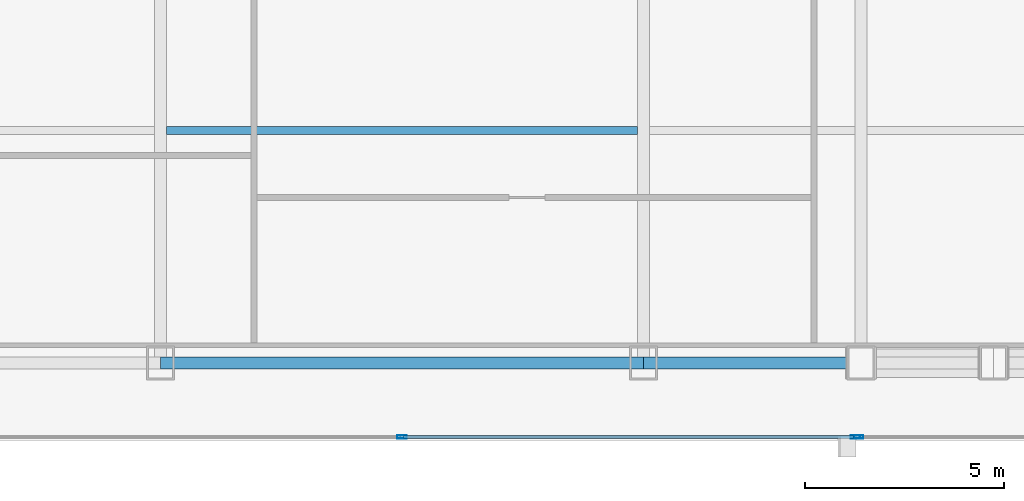
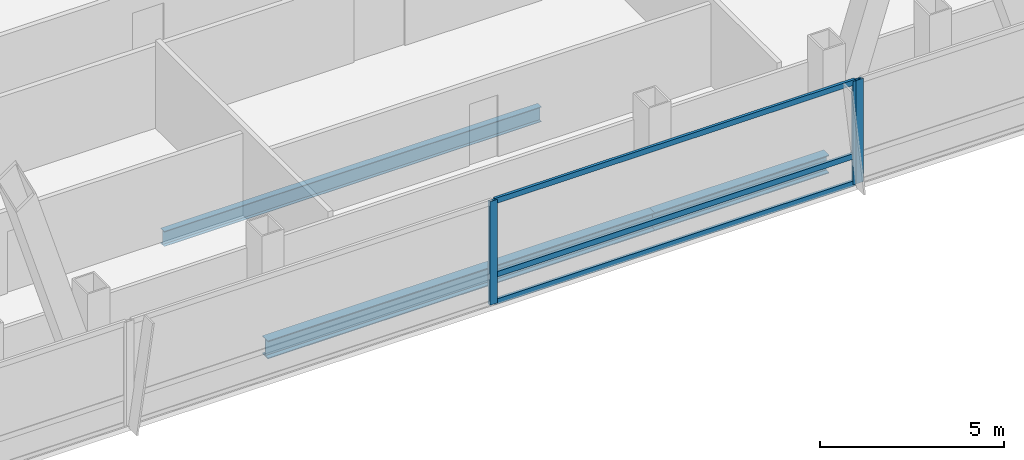
# One storey, part 13 of 30: 6 members, 3 beams, 2 elements without a shape of their own.
"""IFC4 building model written with IfcOpenShell, lengths in metres."""

from ifc_helpers import new_model, si_unit, direction, frame, origin, origin_2d, place, context, subcontext, project, spatial, hollow_rectangle, i_section, extrude, material, material_profile, profile_set, type_object, element, aggregate, save


model = new_model("IFC4")

# Units and contexts
model_context = context("Model", 3, precision=1e-05, world=origin(), true_north=direction((0.0, 1.0)))
body_context = subcontext(model_context, "Body", "Model", "MODEL_VIEW")
ifc_project = project(units=[si_unit("LENGTHUNIT", "METRE"), si_unit("AREAUNIT", "SQUARE_METRE"), si_unit("VOLUMEUNIT", "CUBIC_METRE"), si_unit("PLANEANGLEUNIT", "RADIAN"), si_unit("MASSUNIT", "GRAM", prefix="KILO")], contexts=[model_context])

# Site, building, storey
site_placement = place(None, origin())
site = spatial("IfcSite", under=ifc_project, at=site_placement, CompositionType="ELEMENT")
building_placement = place(site_placement, origin())
building = spatial("IfcBuilding", under=site, at=building_placement, Name="Khoronbel Lancet Exchange", CompositionType="ELEMENT")
storey_placement = place(building_placement, frame((0.0, 0.0, 157.800048828125)))
storey = spatial("IfcBuildingStorey", under=building, at=storey_placement, Name="L39", CompositionType="ELEMENT", Elevation=157.800048828125)

# Beams
ifc_material_1 = material(Name="Steel S355", Category="steel")
ifc_material_profile_1 = material_profile(ifc_material_1, i_section(OverallWidth=0.199951171875, OverallDepth=0.5, WebThickness=0.01025390625, FlangeThickness=0.01611328125, at=origin_2d()), Name="IPE 500")
ifc_profile_set_1 = profile_set([ifc_material_profile_1], Name="Steel S355")
beam_type_1 = type_object("IfcBeamType", Name="BM-BJ3", PredefinedType="JOIST", material=ifc_profile_set_1)
beam_1_placement = place(storey_placement, frame((30.52490234375, 16.0, -0.41015625), z_axis=(1.0, 0.0, 0.0), x_axis=(0.0, 1.0, 0.0)))
element("IfcBeam", 1, at=beam_1_placement, inside=storey, type_object=beam_type_1, Name="Level L39 secondary composite joist J03", PredefinedType="JOIST", context=body_context, shape_type="SweptSolid", body=[
    extrude(i_section(OverallWidth=0.199951171875, OverallDepth=0.5, WebThickness=0.01025390625, FlangeThickness=0.01611328125, at=origin_2d()), origin(), (0.0, 0.0, 1.0), 11.85009765625),
])
ifc_material_profile_2 = material_profile(ifc_material_1, i_section(OverallWidth=0.300048828125, OverallDepth=0.60009765625, WebThickness=0.015380859375, FlangeThickness=0.030029296875, at=origin_2d()), Name="HEB 600")
ifc_profile_set_2 = profile_set([ifc_material_profile_2], Name="Steel S355")
beam_type_2 = type_object("IfcBeamType", Name="BM-BSP2", PredefinedType="SPANDREL", material=ifc_profile_set_2)
beam_2_placement = place(storey_placement, frame((30.375, 10.14990234375, -0.4599609375), z_axis=(1.0, 0.0, 0.0), x_axis=(0.0, 1.0, 0.0)))
element("IfcBeam", 2, at=beam_2_placement, inside=storey, type_object=beam_type_2, Name="Level L39 perimeter spandrel beam SP05", PredefinedType="SPANDREL", context=body_context, shape_type="SweptSolid", body=[
    extrude(i_section(OverallWidth=0.300048828125, OverallDepth=0.60009765625, WebThickness=0.015380859375, FlangeThickness=0.030029296875, at=origin_2d()), origin(), (0.0, 0.0, 1.0), 12.14990234375),
])
beam_3_placement = place(storey_placement, frame((42.52490234375, 10.14990234375, -0.4599609375), z_axis=(1.0, 0.0, 0.0), x_axis=(0.0, 1.0, 0.0)))
element("IfcBeam", 3, at=beam_3_placement, inside=storey, type_object=beam_type_2, Name="Level L39 perimeter spandrel beam SP06", PredefinedType="SPANDREL", context=body_context, shape_type="SweptSolid", body=[
    extrude(i_section(OverallWidth=0.300048828125, OverallDepth=0.60009765625, WebThickness=0.015380859375, FlangeThickness=0.030029296875, at=origin_2d()), origin(), (0.0, 0.0, 1.0), 5.47509765625),
])

# Curtain wall, members
ifc_material_2 = material(Name="Low-E Solar Control Insulating Glass", Category="glass")
curtain_wall_type = type_object("IfcCurtainWallType", Name="CW-3", PredefinedType="NOTDEFINED", material=ifc_material_2)
curtain_wall_1_placement = place(storey_placement, origin())
curtain_wall_1 = element("IfcCurtainWall", 4, at=curtain_wall_1_placement, inside=storey, type_object=curtain_wall_type, Name="Unitised curtain wall CW-L39-SCV", PredefinedType="NOTDEFINED")
ifc_material_3 = material(Name="Bronze-Anodised Aluminium 6063-T6", Category="aluminium")
ifc_material_profile_3 = material_profile(ifc_material_3, hollow_rectangle(XDim=0.0849609375, YDim=0.239990234375, WallThickness=0.006103515625, at=origin_2d()), Name="ALU MULLION 85x240")
ifc_profile_set_3 = profile_set([ifc_material_profile_3], Name="Bronze-Anodised Aluminium 6063-T6")
member_type_1 = type_object("IfcMemberType", Name="MEM-CWM1", PredefinedType="MULLION", material=ifc_profile_set_3)
member_1_placement = place(storey_placement, frame((36.449951171875, 8.2900390625, 0.0), z_axis=(0.0, 0.0, 1.0), x_axis=(0.0, 1.0, 0.0)))
member_1 = element("IfcMember", 5, at=member_1_placement, type_object=member_type_1, Name="CW3 mullion 2", PredefinedType="MULLION", context=body_context, shape_type="SweptSolid", body=[
    extrude(hollow_rectangle(XDim=0.0849609375, YDim=0.239990234375, WallThickness=0.006103515625, at=origin_2d()), origin(), (0.0, 0.0, 1.0), 3.43994140625),
])
member_2_placement = place(storey_placement, frame((47.857421875, 8.2900390625, 0.0), z_axis=(0.0, 0.0, 1.0), x_axis=(0.0, 1.0, 0.0)))
member_2 = element("IfcMember", 6, at=member_2_placement, type_object=member_type_1, Name="CW3 mullion 3", PredefinedType="MULLION", context=body_context, shape_type="SweptSolid", body=[
    extrude(hollow_rectangle(XDim=0.0849609375, YDim=0.239990234375, WallThickness=0.006103515625, at=origin_2d()), origin(), (0.0, 0.0, 1.0), 3.43994140625),
])

# Curtain wall, member
curtain_wall_2_placement = place(storey_placement, origin())
curtain_wall_2 = element("IfcCurtainWall", 7, at=curtain_wall_2_placement, inside=storey, type_object=curtain_wall_type, Name="Unitised curtain wall CW-L39-SEB", PredefinedType="NOTDEFINED")
member_3_placement = place(storey_placement, frame((47.9423828125, 8.2900390625, 0.0), z_axis=(0.0, 0.0, 1.0), x_axis=(0.0, 1.0, 0.0)))
member_3 = element("IfcMember", 8, at=member_3_placement, type_object=member_type_1, Name="CW3 mullion 1", PredefinedType="MULLION", context=body_context, shape_type="SweptSolid", body=[
    extrude(hollow_rectangle(XDim=0.0849609375, YDim=0.239990234375, WallThickness=0.006103515625, at=origin_2d()), origin(), (0.0, 0.0, 1.0), 3.43994140625),
])
aggregate(curtain_wall_2, [member_3])

# Member
ifc_material_profile_4 = material_profile(ifc_material_3, hollow_rectangle(XDim=0.0849609375, YDim=0.179931640625, WallThickness=0.0048828125, at=origin_2d()), Name="ALU TRANSOM 85x180")
ifc_profile_set_4 = profile_set([ifc_material_profile_4], Name="Bronze-Anodised Aluminium 6063-T6")
member_type_2 = type_object("IfcMemberType", Name="MEM-CWT1", PredefinedType="USERDEFINED", material=ifc_profile_set_4)
member_4_placement = place(storey_placement, frame((36.492431640625, 8.2900390625, 0.04248046875), z_axis=(1.0, 0.0, 0.0), x_axis=(0.0, 1.0, 0.0)))
member_4 = element("IfcMember", 9, at=member_4_placement, type_object=member_type_2, Name="CW3 transom 2.1", ObjectType="TRANSOM", PredefinedType="USERDEFINED", context=body_context, shape_type="SweptSolid", body=[
    extrude(hollow_rectangle(XDim=0.0849609375, YDim=0.179931640625, WallThickness=0.0048828125, at=origin_2d()), origin(), (0.0, 0.0, 1.0), 11.322509765625),
])

member_5_placement = place(storey_placement, frame((36.492431640625, 8.2900390625, 0.949951171875), z_axis=(1.0, 0.0, 0.0), x_axis=(0.0, 1.0, 0.0)))
member_5 = element("IfcMember", 10, at=member_5_placement, type_object=member_type_2, Name="CW3 transom 2.2", ObjectType="TRANSOM", PredefinedType="USERDEFINED", context=body_context, shape_type="SweptSolid", body=[
    extrude(hollow_rectangle(XDim=0.0849609375, YDim=0.179931640625, WallThickness=0.0048828125, at=origin_2d()), origin(), (0.0, 0.0, 1.0), 11.322509765625),
])

member_6_placement = place(storey_placement, frame((36.492431640625, 8.2900390625, 3.3974609375), z_axis=(1.0, 0.0, 0.0), x_axis=(0.0, 1.0, 0.0)))
member_6 = element("IfcMember", 11, at=member_6_placement, type_object=member_type_2, Name="CW3 transom 2.3", ObjectType="TRANSOM", PredefinedType="USERDEFINED", context=body_context, shape_type="SweptSolid", body=[
    extrude(hollow_rectangle(XDim=0.0849609375, YDim=0.179931640625, WallThickness=0.0048828125, at=origin_2d()), origin(), (0.0, 0.0, 1.0), 11.322509765625),
])

aggregate(curtain_wall_1, [member_1, member_2, member_4, member_5, member_6])

save(model, "model.ifc")
